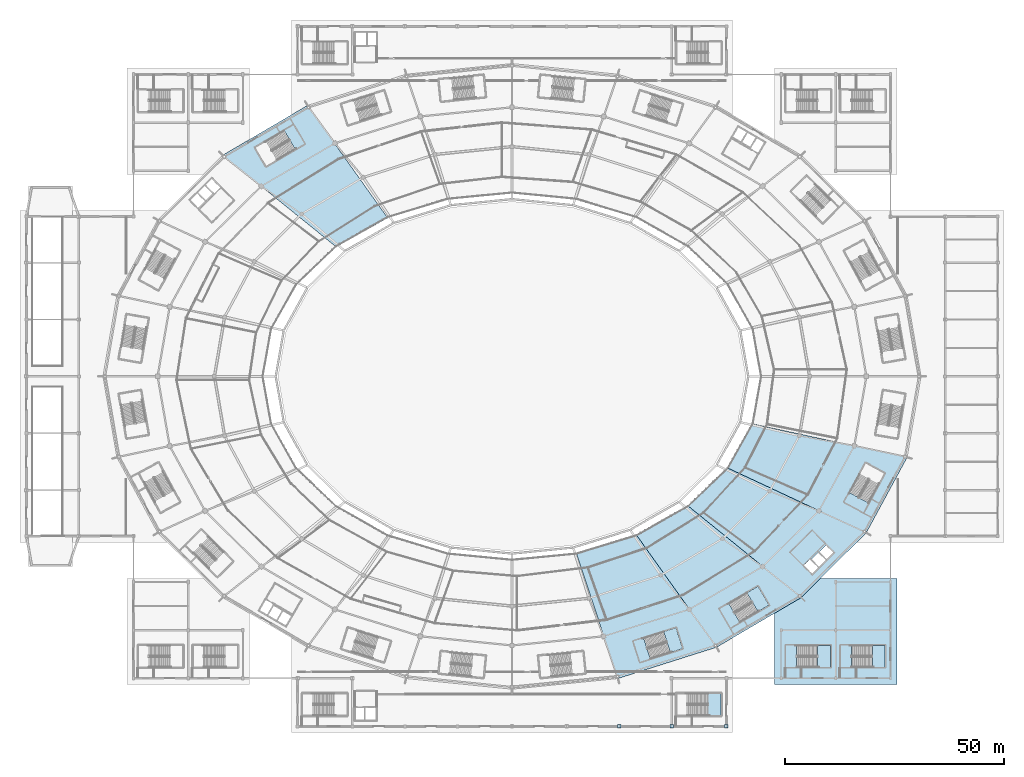
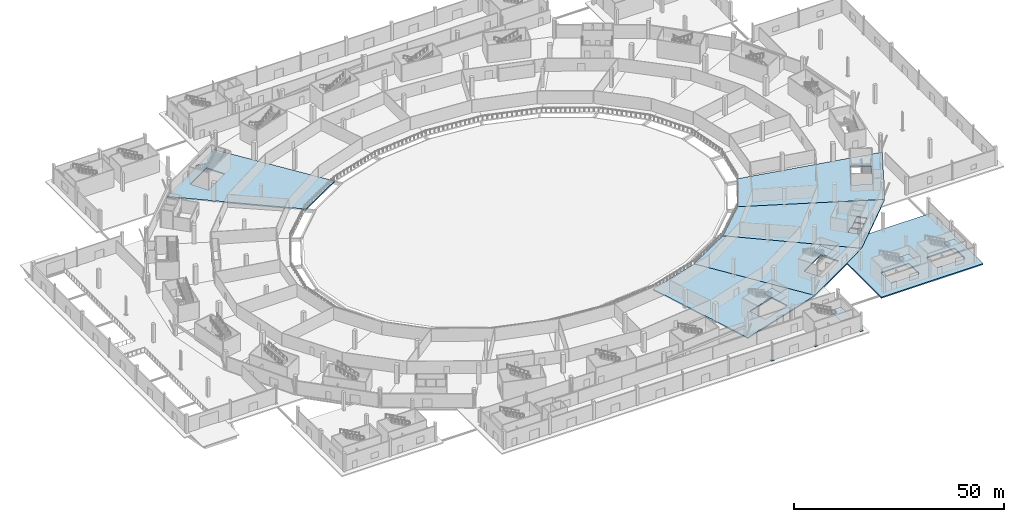
# One storey, part 29 of 82: 11 slabs, 3 plates, 5 elements without a shape of their own.
"""IFC4 building model written with IfcOpenShell, lengths in metres."""

from ifc_helpers import new_model, si_unit, direction, frame, origin, origin_2d, place, context, subcontext, project, spatial, polyline, rectangle, outline, extrude, material, layer, layer_set, type_object, element, aggregate, save


model = new_model("IFC4")

# Units and contexts
model_context = context("Model", 3, precision=1e-05, world=origin(), true_north=direction((0.0, 1.0)))
body_context = subcontext(model_context, "Body", "Model", "MODEL_VIEW")
ifc_project = project(units=[si_unit("LENGTHUNIT", "METRE"), si_unit("AREAUNIT", "SQUARE_METRE"), si_unit("VOLUMEUNIT", "CUBIC_METRE"), si_unit("PLANEANGLEUNIT", "RADIAN"), si_unit("MASSUNIT", "GRAM", prefix="KILO")], contexts=[model_context])

# Site, building, storey
site_placement = place(None, origin())
site = spatial("IfcSite", under=ifc_project, at=site_placement, CompositionType="ELEMENT")
building_placement = place(site_placement, origin())
building = spatial("IfcBuilding", under=site, at=building_placement, Name="Zlatoyarsky Gate Stadium", CompositionType="ELEMENT")
storey_placement = place(building_placement, origin())
storey = spatial("IfcBuildingStorey", under=building, at=storey_placement, Name="L00", CompositionType="ELEMENT", Elevation=0.0)

# Slabs
ifc_material_1 = material(Name="Concrete C40/50", Category="concrete")
ifc_layer_1 = layer(ifc_material_1, 0.35009765625)
ifc_layer_set_1 = layer_set([ifc_layer_1], Name="Concrete C40/50")
slab_type_1 = type_object("IfcSlabType", Name="CONCRETE GROUND EVENT SLAB 350", PredefinedType="FLOOR", material=ifc_layer_set_1)
slab_1_placement = place(storey_placement, frame((0.0, 0.0, -0.35009765625)))
element("IfcSlab", 1, at=slab_1_placement, inside=storey, type_object=slab_type_1, Name="L00 bowl sector 08 slab", PredefinedType="FLOOR", context=body_context, shape_type="SweptSolid", body=[
    extrude(outline(polyline([(70.836181640625, 109.55712890625), (44.885498046875, 130.55810546875), (64.25, 141.9208984375), (82.60009765625, 116.199951171875), (70.836181640625, 109.55712890625)]), holes=[polyline([(61.461669921875, 131.89013671875), (58.934326171875, 136.204345703125), (52.247314453125, 132.287109375), (54.774658203125, 127.972900390625), (61.461669921875, 131.89013671875)])]), origin(), (0.0, 0.0, 1.0), 0.35009765625),
])
slab_2_placement = place(storey_placement, frame((0.0, 0.0, -0.35009765625)))
element("IfcSlab", 2, at=slab_2_placement, inside=storey, type_object=slab_type_1, Name="L00 bowl sector 19 slab", PredefinedType="FLOOR", context=body_context, shape_type="SweptSolid", body=[
    extrude(outline(polyline([(139.39990234375, 43.800048828125), (157.75, 18.0791015625), (135.19970703125, 10.936279296875), (125.700927734375, 39.624267578125), (139.39990234375, 43.800048828125)]), holes=[polyline([(141.09228515625, 20.205078125), (142.60009765625, 15.437744140625), (149.9892578125, 17.7744140625), (148.481689453125, 22.541748046875), (141.09228515625, 20.205078125)])]), origin(), (0.0, 0.0, 1.0), 0.35009765625),
])
slab_3_placement = place(storey_placement, frame((0.0, 0.0, -0.35009765625)))
element("IfcSlab", 3, at=slab_3_placement, inside=storey, type_object=slab_type_1, Name="L00 bowl sector 20 slab", PredefinedType="FLOOR", context=body_context, shape_type="SweptSolid", body=[
    extrude(outline(polyline([(151.163818359375, 50.44287109375), (177.114501953125, 29.44189453125), (157.75, 18.0791015625), (139.39990234375, 43.800048828125), (151.163818359375, 50.44287109375)]), holes=[polyline([(160.538330078125, 28.10986328125), (163.065673828125, 23.795654296875), (169.752685546875, 27.712890625), (167.225341796875, 32.027099609375), (160.538330078125, 28.10986328125)])]), origin(), (0.0, 0.0, 1.0), 0.35009765625),
])
slab_4_placement = place(storey_placement, frame((0.0, 0.0, -0.35009765625)))
element("IfcSlab", 4, at=slab_4_placement, inside=storey, type_object=slab_type_1, Name="L00 bowl sector 21 slab", PredefinedType="FLOOR", context=body_context, shape_type="SweptSolid", body=[
    extrude(outline(polyline([(160.190185546875, 59.10009765625), (191.973388671875, 44.25), (177.114501953125, 29.44189453125), (151.163818359375, 50.44287109375), (160.190185546875, 59.10009765625)]), holes=[polyline([(179.643310546875, 34.814208984375), (181.06103515625, 36.224853515625), (179.086181640625, 38.209716796875), (177.668212890625, 36.799072265625), (179.643310546875, 34.814208984375)]), polyline([(179.47509765625, 38.17333984375), (181.23828125, 36.401123046875), (182.7978515625, 37.952880859375), (181.034423828125, 39.72509765625), (179.47509765625, 38.17333984375)]), polyline([(181.2119140625, 39.9013671875), (182.97509765625, 38.129150390625), (184.53466796875, 39.680908203125), (182.771240234375, 41.452880859375), (181.2119140625, 39.9013671875)])]), origin(), (0.0, 0.0, 1.0), 0.35009765625),
])
slab_5_placement = place(storey_placement, frame((0.0, 0.0, -0.35009765625)))
element("IfcSlab", 5, at=slab_5_placement, inside=storey, type_object=slab_type_1, Name="L00 bowl sector 22 slab", PredefinedType="FLOOR", context=body_context, shape_type="SweptSolid", body=[
    extrude(outline(polyline([(165.864501953125, 69.181396484375), (201.314208984375, 61.494384765625), (191.973388671875, 44.25), (160.190185546875, 59.10009765625), (165.864501953125, 69.181396484375)]), holes=[polyline([(192.5029296875, 51.05419921875), (196.19873046875, 57.8662109375), (191.803955078125, 60.250732421875), (188.108154296875, 53.438720703125), (192.5029296875, 51.05419921875)])]), origin(), (0.0, 0.0, 1.0), 0.35009765625),
])
slab_6_placement = place(storey_placement, frame((0.0, 0.0, -0.35009765625)))
element("IfcSlab", 6, at=slab_6_placement, inside=storey, type_object=slab_type_1, Name="L00 wing V6_SE slab", PredefinedType="FLOOR", context=body_context, shape_type="SweptSolid", body=[
    extrude(outline(polyline([(171.050048828125, 9.550048828125), (171.050048828125, 25.88330078125), (177.114501953125, 29.44189453125), (181.53759765625, 33.85009765625), (198.949951171875, 33.85009765625), (198.949951171875, 9.550048828125), (171.050048828125, 9.550048828125)]), holes=[polyline([(183.800048828125, 13.5), (183.800048828125, 18.5), (176.050048828125, 18.5), (176.050048828125, 13.5), (183.800048828125, 13.5)]), polyline([(188.550048828125, 13.5), (196.300048828125, 13.5), (196.300048828125, 18.5), (188.550048828125, 18.5), (188.550048828125, 13.5)])]), origin(), (0.0, 0.0, 1.0), 0.35009765625),
])

# Stair, slab
stair_type = type_object("IfcStairType", Name="CONCRETE DOGLEG EXIT STAIR H5400", PredefinedType="TWO_STRAIGHT_RUN_STAIR", material=ifc_material_1)
stair_1_placement = place(storey_placement, origin())
stair_1 = element("IfcStair", 7, at=stair_1_placement, inside=storey, type_object=stair_type, Name="L00 Exit Stair ST-11", PredefinedType="TWO_STRAIGHT_RUN_STAIR")
ifc_layer_2 = layer(ifc_material_1, 0.199951171875)
ifc_layer_set_2 = layer_set([ifc_layer_2], Name="Concrete C40/50")
slab_type_2 = type_object("IfcSlabType", Name="CONCRETE STAIR LANDING SLAB 200", PredefinedType="LANDING", material=ifc_layer_set_2)
slab_7_placement = place(storey_placement, frame((0.0, 0.0, 2.5)))
slab_7 = element("IfcSlab", 8, at=slab_7_placement, type_object=slab_type_2, Name="ST-DG54 landing 1", PredefinedType="LANDING", context=body_context, shape_type="SweptSolid", body=[
    extrude(outline(polyline([(167.207275390625, 26.221923828125), (169.752685546875, 27.712890625), (167.225341796875, 32.027099609375), (164.679931640625, 30.5361328125), (167.207275390625, 26.221923828125)])), origin(), (0.0, 0.0, 1.0), 0.199951171875),
])
aggregate(stair_1, [slab_7])

stair_2_placement = place(storey_placement, origin())
stair_2 = element("IfcStair", 9, at=stair_2_placement, inside=storey, type_object=stair_type, Name="L00 Exit Stair ST-16", PredefinedType="TWO_STRAIGHT_RUN_STAIR")
slab_8_placement = place(storey_placement, frame((0.0, 0.0, 2.5)))
slab_8 = element("IfcSlab", 10, at=slab_8_placement, type_object=slab_type_2, Name="ST-DG54 landing 1", PredefinedType="LANDING", context=body_context, shape_type="SweptSolid", body=[
    extrude(outline(polyline([(147.176513671875, 16.885009765625), (149.9892578125, 17.7744140625), (148.481689453125, 22.541748046875), (145.6689453125, 21.65234375), (147.176513671875, 16.885009765625)])), origin(), (0.0, 0.0, 1.0), 0.199951171875),
])
aggregate(stair_2, [slab_8])

stair_3_placement = place(storey_placement, origin())
stair_3 = element("IfcStair", 11, at=stair_3_placement, inside=storey, type_object=stair_type, Name="L00 Exit Stair ST-23", PredefinedType="TWO_STRAIGHT_RUN_STAIR")
slab_9_placement = place(storey_placement, frame((0.0, 0.0, 2.5)))
slab_9 = element("IfcSlab", 12, at=slab_9_placement, type_object=slab_type_2, Name="ST-DG54 landing 1", PredefinedType="LANDING", context=body_context, shape_type="SweptSolid", body=[
    extrude(outline(polyline([(180.85009765625, 13.5), (183.800048828125, 13.5), (183.800048828125, 18.5), (180.85009765625, 18.5), (180.85009765625, 13.5)])), origin(), (0.0, 0.0, 1.0), 0.199951171875),
])
aggregate(stair_3, [slab_9])

stair_4_placement = place(storey_placement, origin())
stair_4 = element("IfcStair", 13, at=stair_4_placement, inside=storey, type_object=stair_type, Name="L00 Exit Stair ST-24", PredefinedType="TWO_STRAIGHT_RUN_STAIR")
slab_10_placement = place(storey_placement, frame((0.0, 0.0, 2.5)))
slab_10 = element("IfcSlab", 14, at=slab_10_placement, type_object=slab_type_2, Name="ST-DG54 landing 1", PredefinedType="LANDING", context=body_context, shape_type="SweptSolid", body=[
    extrude(outline(polyline([(193.35009765625, 13.5), (196.300048828125, 13.5), (196.300048828125, 18.5), (193.35009765625, 18.5), (193.35009765625, 13.5)])), origin(), (0.0, 0.0, 1.0), 0.199951171875),
])
aggregate(stair_4, [slab_10])

stair_5_placement = place(storey_placement, origin())
stair_5 = element("IfcStair", 15, at=stair_5_placement, inside=storey, type_object=stair_type, Name="L00 Exit Stair ST-30", PredefinedType="TWO_STRAIGHT_RUN_STAIR")
slab_11_placement = place(storey_placement, frame((0.0, 0.0, 2.5)))
slab_11 = element("IfcSlab", 16, at=slab_11_placement, type_object=slab_type_2, Name="ST-DG54 landing 1", PredefinedType="LANDING", context=body_context, shape_type="SweptSolid", body=[
    extrude(outline(polyline([(155.85009765625, 2.5), (158.800048828125, 2.5), (158.800048828125, 7.5), (155.85009765625, 7.5), (155.85009765625, 2.5)])), origin(), (0.0, 0.0, 1.0), 0.199951171875),
])
aggregate(stair_5, [slab_11])

# Plates
ifc_material_2 = material(Name="Steel S355", Category="steel")
ifc_layer_3 = layer(ifc_material_2, 0.0400390625)
ifc_layer_set_3 = layer_set([ifc_layer_3], Name="Steel S355")
plate_type = type_object("IfcPlateType", Name="STEEL COLUMN BASE PLATE 40", PredefinedType="USERDEFINED", material=ifc_layer_set_3)
for number, where, z_axis, x_axis, name in (
    (17, (135.5, 0.0, 0.0), (0.0, 0.0, 1.0), (1.0, 0.0, 0.0), "Column base plate BP-01 at WG-12-A L00"),
    (18, (147.5, 0.0, 0.0), (0.0, 0.0, 1.0), (1.0, 0.0, 0.0), "Column base plate BP-01 at WG-13-A L00"),
    (19, (160.0, 0.0, 0.0), (0.0, 0.0, 1.0), (1.0, 0.0, 0.0), "Column base plate BP-01 at WG-14-A L00"),
):
    element("IfcPlate", number, at=place(storey_placement, frame(where, z_axis=z_axis, x_axis=x_axis)), inside=storey, type_object=plate_type, Name=name, ObjectType="BASE PLATE", PredefinedType="USERDEFINED", context=body_context, shape_type="SweptSolid", body=[
        extrude(rectangle(XDim=0.75, YDim=0.75, at=origin_2d()), origin(), (0.0, 0.0, 1.0), 0.0400390625),
    ])

save(model, "model.ifc")
